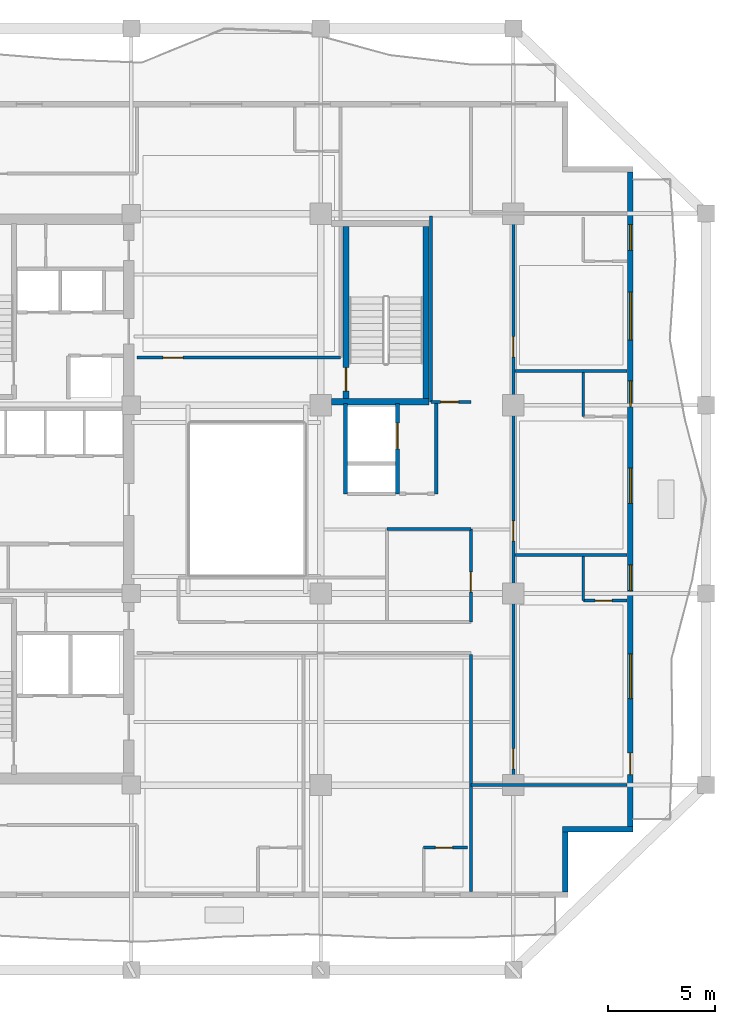
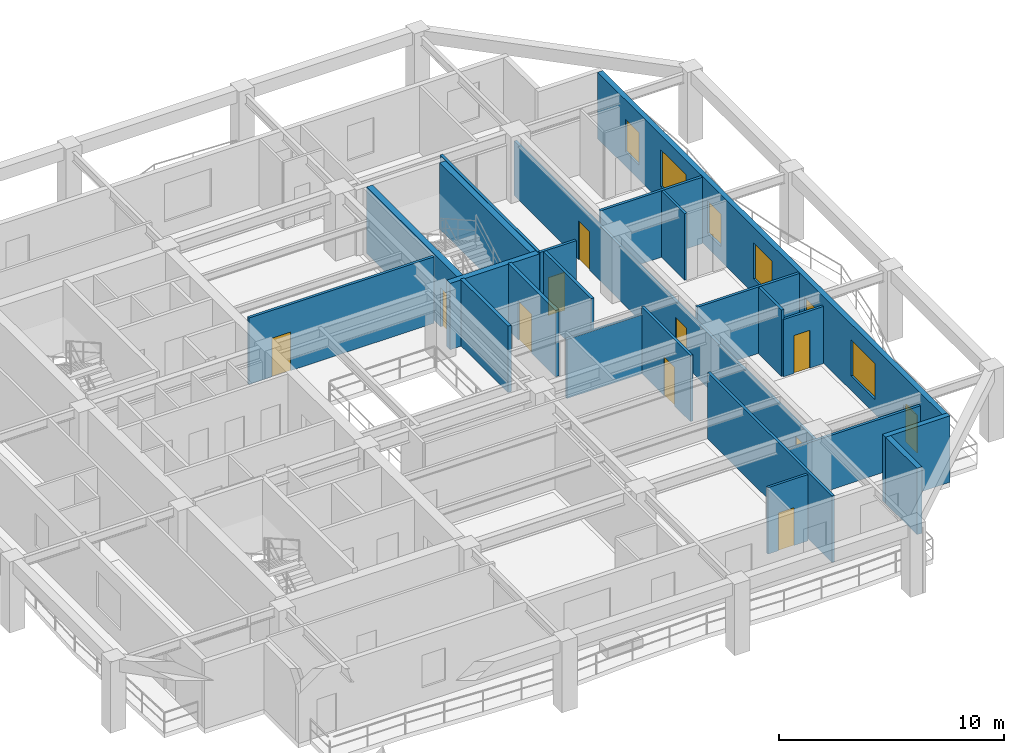
# One storey, part 5 of 11: 23 walls, 11 doors, 6 windows, 17 openings.
"""IFC4 building model written with IfcOpenShell, lengths in metres."""

from ifc_helpers import new_model, si_unit, direction, frame, frame_2d, origin, place, context, subcontext, project, spatial, rectangle, extrude, material, layer, layer_set, type_object, element, fill, save


model = new_model("IFC4")

# Units and contexts
model_context = context("Model", 3, precision=1e-05, world=origin(), true_north=direction((0.0, 1.0)))
body_context = subcontext(model_context, "Body", "Model", "MODEL_VIEW")
ifc_project = project(units=[si_unit("LENGTHUNIT", "METRE"), si_unit("AREAUNIT", "SQUARE_METRE"), si_unit("VOLUMEUNIT", "CUBIC_METRE"), si_unit("PLANEANGLEUNIT", "RADIAN"), si_unit("MASSUNIT", "GRAM", prefix="KILO")], contexts=[model_context])

# Site, building, storey
site_placement = place(None, origin())
site = spatial("IfcSite", under=ifc_project, at=site_placement, CompositionType="ELEMENT")
building_placement = place(site_placement, origin())
building = spatial("IfcBuilding", under=site, at=building_placement, Name="Kundavana Baori Tower", CompositionType="ELEMENT")
storey_placement = place(building_placement, frame((0.0, 0.0, 123.25)))
storey = spatial("IfcBuildingStorey", under=building, at=storey_placement, Name="L29", CompositionType="ELEMENT", Elevation=123.25)

# Walls
ifc_material_1 = material(Name="Kiln-Fired Terracotta Brick-Slip Masonry on Concrete C40/50", Category="masonry")
ifc_layer_1 = layer(ifc_material_1, 0.260009765625, Name="WL-EXT-BRK-260")
ifc_layer_set_1 = layer_set([ifc_layer_1], Name="Kiln-Fired Terracotta Brick-Slip Masonry on Concrete C40/50")
wall_type_1 = type_object("IfcWallType", Name="WL-EXT-BRK-260", PredefinedType="SOLIDWALL", material=ifc_layer_set_1)
wall_1_placement = place(storey_placement, frame((45.219970703125, 10.260009765625, 0.0), z_axis=(0.0, 0.0, 1.0), x_axis=(0.0, 1.0, 0.0)))
element("IfcWall", 1, at=wall_1_placement, inside=storey, type_object=wall_type_1, Name="L29 Exterior Insulated Facade Wall 02", PredefinedType="SOLIDWALL", context=body_context, shape_type="SweptSolid", body=[
    extrude(rectangle(XDim=2.7900390625, YDim=0.260009765625, at=frame_2d((1.39501953125, 0.0))), origin(), (0.0, 0.0, 1.0), 3.60009765625),
])
wall_2_placement = place(storey_placement, frame((45.090087890625, 13.179931640625, 0.0), z_axis=(0.0, 0.0, 1.0), x_axis=(1.0, 0.0, 0.0)))
element("IfcWall", 2, at=wall_2_placement, inside=storey, type_object=wall_type_1, Name="L29 Exterior Insulated Facade Wall 03", PredefinedType="SOLIDWALL", context=body_context, shape_type="SweptSolid", body=[
    extrude(rectangle(XDim=3.309814453125, YDim=0.260009765625, at=frame_2d((1.65478515625, 0.0))), origin(), (0.0, 0.0, 1.0), 3.60009765625),
])

# Wall, openings, door, windows
wall_3_placement = place(storey_placement, frame((48.27001953125, 13.31005859375, 0.0), z_axis=(0.0, 0.0, 1.0), x_axis=(0.0, 1.0, 0.0)))
wall_3 = element("IfcWall", 3, at=wall_3_placement, inside=storey, type_object=wall_type_1, Name="L29 Exterior Insulated Facade Wall 04", PredefinedType="SOLIDWALL", context=body_context, shape_type="SweptSolid", body=[
    extrude(rectangle(XDim=30.579833984375, YDim=0.260009765625, at=frame_2d((15.2900390625, 0.0))), origin(), (0.0, 0.0, 1.0), 3.60009765625),
])
opening_1_placement = place(wall_3_placement, frame((2.429931640625, 0.0, 0.0)))
opening_1 = element("IfcOpeningElement", 4, at=opening_1_placement, cuts=wall_3, Name="Opening BD-1", PredefinedType="OPENING", context=body_context, shape_type="SweptSolid", body=[
    extrude(rectangle(XDim=1.0, YDim=2.050048828125, at=frame_2d((0.5, 1.02490234375))), frame((0.0, 0.14013671875, 0.0), z_axis=(0.0, -1.0, 0.0), x_axis=(1.0, 0.0, 0.0)), (0.0, 0.0, 1.0), 0.280029296875),
])
opening_2_placement = place(wall_3_placement, frame((5.97509765625, 0.0, 0.800048828125)))
opening_2 = element("IfcOpeningElement", 5, at=opening_2_placement, cuts=wall_3, Name="Opening W-05", PredefinedType="OPENING", context=body_context, shape_type="SweptSolid", body=[
    extrude(rectangle(XDim=2.10009765625, YDim=1.949951171875, at=frame_2d((1.050048828125, 0.97509765625))), frame((0.0, 0.14013671875, 0.0), z_axis=(0.0, -1.0, 0.0), x_axis=(1.0, 0.0, 0.0)), (0.0, 0.0, 1.0), 0.280029296875),
])
opening_3_placement = place(wall_3_placement, frame((11.02490234375, 0.0, 0.800048828125)))
opening_3 = element("IfcOpeningElement", 6, at=opening_3_placement, cuts=wall_3, Name="Opening W-03", PredefinedType="OPENING", context=body_context, shape_type="SweptSolid", body=[
    extrude(rectangle(XDim=1.199951171875, YDim=1.75, at=frame_2d((0.60009765625, 0.875))), frame((0.0, 0.14013671875, 0.0), z_axis=(0.0, -1.0, 0.0), x_axis=(1.0, 0.0, 0.0)), (0.0, 0.0, 1.0), 0.280029296875),
])
opening_4_placement = place(wall_3_placement, frame((15.10009765625, 0.0, 0.800048828125)))
opening_4 = element("IfcOpeningElement", 7, at=opening_4_placement, cuts=wall_3, Name="Opening W-08", PredefinedType="OPENING", context=body_context, shape_type="SweptSolid", body=[
    extrude(rectangle(XDim=1.64990234375, YDim=1.949951171875, at=frame_2d((0.824951171875, 0.97509765625))), frame((0.0, 0.14013671875, 0.0), z_axis=(0.0, -1.0, 0.0), x_axis=(1.0, 0.0, 0.0)), (0.0, 0.0, 1.0), 0.280029296875),
])
opening_5_placement = place(wall_3_placement, frame((19.625, 0.0, 0.800048828125)))
opening_5 = element("IfcOpeningElement", 8, at=opening_5_placement, cuts=wall_3, Name="Opening W-03", PredefinedType="OPENING", context=body_context, shape_type="SweptSolid", body=[
    extrude(rectangle(XDim=1.199951171875, YDim=1.75, at=frame_2d((0.60009765625, 0.875))), frame((0.0, 0.14013671875, 0.0), z_axis=(0.0, -1.0, 0.0), x_axis=(1.0, 0.0, 0.0)), (0.0, 0.0, 1.0), 0.280029296875),
])
opening_6_placement = place(wall_3_placement, frame((22.72509765625, 0.0, 0.800048828125)))
opening_6 = element("IfcOpeningElement", 9, at=opening_6_placement, cuts=wall_3, Name="Opening W-10", PredefinedType="OPENING", context=body_context, shape_type="SweptSolid", body=[
    extrude(rectangle(XDim=2.25, YDim=2.0, at=frame_2d((1.125, 1.0))), frame((0.0, 0.14013671875, 0.0), z_axis=(0.0, -1.0, 0.0), x_axis=(1.0, 0.0, 0.0)), (0.0, 0.0, 1.0), 0.280029296875),
])
opening_7_placement = place(wall_3_placement, frame((26.925048828125, 0.0, 0.800048828125)))
opening_7 = element("IfcOpeningElement", 10, at=opening_7_placement, cuts=wall_3, Name="Opening W-03", PredefinedType="OPENING", context=body_context, shape_type="SweptSolid", body=[
    extrude(rectangle(XDim=1.199951171875, YDim=1.75, at=frame_2d((0.60009765625, 0.875))), frame((0.0, 0.14013671875, 0.0), z_axis=(0.0, -1.0, 0.0), x_axis=(1.0, 0.0, 0.0)), (0.0, 0.0, 1.0), 0.280029296875),
])
ifc_material_2 = material(Name="Architectural Patinated Bronze Metalwork")
door_type_1 = type_object("IfcDoorType", Name="DR-EXT-LOG-1000", OperationType="NOTDEFINED", PredefinedType="DOOR", material=ifc_material_2)
door_1_placement = place(opening_1_placement, frame((1.0, 0.0, 0.0), z_axis=(0.0, 0.0, 1.0), x_axis=(-1.0, 0.0, 0.0)))
door_1 = element("IfcDoor", 11, at=door_1_placement, inside=storey, type_object=door_type_1, Name="L29 Loggia Balcony Access Door E", OperationType="SINGLE_SWING_RIGHT", OverallHeight=2.050048828125, OverallWidth=1.0, PredefinedType="DOOR", context=body_context, shape_type="SweptSolid", body=[
    extrude(rectangle(XDim=1.0, YDim=2.050048828125, at=frame_2d((0.5, 1.02490234375))), frame((0.0, 0.02490234375, 0.0), z_axis=(0.0, -1.0, 0.0), x_axis=(1.0, 0.0, 0.0)), (0.0, 0.0, 1.0), 0.050048828125),
])
fill(opening_1, door_1)
ifc_material_3 = material(Name="Double-Glazed Solar-Control Low-E Insulated Glass", Category="glass")
window_type_1 = type_object("IfcWindowType", Name="WIN-LOG-1200x1750", PartitioningType="SINGLE_PANEL", PredefinedType="WINDOW", material=ifc_material_3)
window_1_placement = place(opening_3_placement, origin())
window_1 = element("IfcWindow", 12, at=window_1_placement, inside=storey, type_object=window_type_1, Name="L29 Recessed Loggia Window E-2", OverallHeight=1.75, OverallWidth=1.199951171875, PartitioningType="SINGLE_PANEL", PredefinedType="WINDOW", context=body_context, shape_type="SweptSolid", body=[
    extrude(rectangle(XDim=1.199951171875, YDim=1.75, at=frame_2d((0.60009765625, 0.875))), frame((0.0, 0.030029296875, 0.0), z_axis=(0.0, -1.0, 0.0), x_axis=(1.0, 0.0, 0.0)), (0.0, 0.0, 1.0), 0.06005859375),
])
fill(opening_3, window_1)
window_2_placement = place(opening_5_placement, origin())
window_2 = element("IfcWindow", 13, at=window_2_placement, inside=storey, type_object=window_type_1, Name="L29 Recessed Loggia Window E-4", OverallHeight=1.75, OverallWidth=1.199951171875, PartitioningType="SINGLE_PANEL", PredefinedType="WINDOW", context=body_context, shape_type="SweptSolid", body=[
    extrude(rectangle(XDim=1.199951171875, YDim=1.75, at=frame_2d((0.60009765625, 0.875))), frame((0.0, 0.030029296875, 0.0), z_axis=(0.0, -1.0, 0.0), x_axis=(1.0, 0.0, 0.0)), (0.0, 0.0, 1.0), 0.06005859375),
])
fill(opening_5, window_2)
window_3_placement = place(opening_7_placement, origin())
window_3 = element("IfcWindow", 14, at=window_3_placement, inside=storey, type_object=window_type_1, Name="L29 Recessed Loggia Window E-6", OverallHeight=1.75, OverallWidth=1.199951171875, PartitioningType="SINGLE_PANEL", PredefinedType="WINDOW", context=body_context, shape_type="SweptSolid", body=[
    extrude(rectangle(XDim=1.199951171875, YDim=1.75, at=frame_2d((0.60009765625, 0.875))), frame((0.0, 0.030029296875, 0.0), z_axis=(0.0, -1.0, 0.0), x_axis=(1.0, 0.0, 0.0)), (0.0, 0.0, 1.0), 0.06005859375),
])
fill(opening_7, window_3)
ifc_material_4 = material(Name="Double-Glazed Solar-Control Low-E Insulated Glass", Category="glass")
window_type_2 = type_object("IfcWindowType", Name="WIN-LOG-1650x1950", PartitioningType="SINGLE_PANEL", PredefinedType="WINDOW", material=ifc_material_4)
window_4_placement = place(opening_4_placement, origin())
window_4 = element("IfcWindow", 15, at=window_4_placement, inside=storey, type_object=window_type_2, Name="L29 Recessed Loggia Window E-3", OverallHeight=1.949951171875, OverallWidth=1.64990234375, PartitioningType="SINGLE_PANEL", PredefinedType="WINDOW", context=body_context, shape_type="SweptSolid", body=[
    extrude(rectangle(XDim=1.64990234375, YDim=1.949951171875, at=frame_2d((0.824951171875, 0.97509765625))), frame((0.0, 0.030029296875, 0.0), z_axis=(0.0, -1.0, 0.0), x_axis=(1.0, 0.0, 0.0)), (0.0, 0.0, 1.0), 0.06005859375),
])
fill(opening_4, window_4)
ifc_material_5 = material(Name="Double-Glazed Solar-Control Low-E Insulated Glass", Category="glass")
window_type_3 = type_object("IfcWindowType", Name="WIN-LOG-2100x1950", PartitioningType="SINGLE_PANEL", PredefinedType="WINDOW", material=ifc_material_5)
window_5_placement = place(opening_2_placement, origin())
window_5 = element("IfcWindow", 16, at=window_5_placement, inside=storey, type_object=window_type_3, Name="L29 Recessed Loggia Window E-1", OverallHeight=1.949951171875, OverallWidth=2.10009765625, PartitioningType="SINGLE_PANEL", PredefinedType="WINDOW", context=body_context, shape_type="SweptSolid", body=[
    extrude(rectangle(XDim=2.10009765625, YDim=1.949951171875, at=frame_2d((1.050048828125, 0.97509765625))), frame((0.0, 0.030029296875, 0.0), z_axis=(0.0, -1.0, 0.0), x_axis=(1.0, 0.0, 0.0)), (0.0, 0.0, 1.0), 0.06005859375),
])
fill(opening_2, window_5)
ifc_material_6 = material(Name="Double-Glazed Solar-Control Low-E Insulated Glass", Category="glass")
window_type_4 = type_object("IfcWindowType", Name="WIN-LOG-2250x2000", PartitioningType="SINGLE_PANEL", PredefinedType="WINDOW", material=ifc_material_6)
window_6_placement = place(opening_6_placement, origin())
window_6 = element("IfcWindow", 17, at=window_6_placement, inside=storey, type_object=window_type_4, Name="L29 Recessed Loggia Window E-5", OverallHeight=2.0, OverallWidth=2.25, PartitioningType="SINGLE_PANEL", PredefinedType="WINDOW", context=body_context, shape_type="SweptSolid", body=[
    extrude(rectangle(XDim=2.25, YDim=2.0, at=frame_2d((1.125, 1.0))), frame((0.0, 0.030029296875, 0.0), z_axis=(0.0, -1.0, 0.0), x_axis=(1.0, 0.0, 0.0)), (0.0, 0.0, 1.0), 0.06005859375),
])
fill(opening_6, window_6)

# Wall, opening, door
ifc_material_7 = material(Name="Acoustic Gypsum Plasterboard on Galvanised Steel Studs", Category="steel")
ifc_layer_2 = layer(ifc_material_7, 0.135009765625, Name="WL-PART-135")
ifc_layer_set_2 = layer_set([ifc_layer_2], Name="Acoustic Gypsum Plasterboard on Galvanised Steel Studs")
wall_type_2 = type_object("IfcWallType", Name="WL-PART-135", PredefinedType="PARTITIONING", material=ifc_layer_set_2)
wall_4_placement = place(storey_placement, frame((25.219970703125, 35.219970703125, 0.0), z_axis=(0.0, 0.0, 1.0), x_axis=(1.0, 0.0, 0.0)))
wall_4 = element("IfcWall", 18, at=wall_4_placement, inside=storey, type_object=wall_type_2, Name="WL-L29-HN", PredefinedType="PARTITIONING", context=body_context, shape_type="SweptSolid", body=[
    extrude(rectangle(XDim=9.5, YDim=0.135009765625, at=frame_2d((4.75, 0.0))), origin(), (0.0, 0.0, 1.0), 3.60009765625),
])
opening_8_placement = place(wall_4_placement, frame((1.199951171875, 0.0, 0.0)))
opening_8 = element("IfcOpeningElement", 19, at=opening_8_placement, cuts=wall_4, Name="Opening FD-095", PredefinedType="OPENING", context=body_context, shape_type="SweptSolid", body=[
    extrude(rectangle(XDim=0.949951171875, YDim=2.10009765625, at=frame_2d((0.47509765625, 1.050048828125))), frame((0.0, 0.07763671875, 0.0), z_axis=(0.0, -1.0, 0.0), x_axis=(1.0, 0.0, 0.0)), (0.0, 0.0, 1.0), 0.155029296875),
])
ifc_material_8 = material(Name="Engineered Teak Fire-Rated Timber Door Leaf", Category="wood")
door_type_2 = type_object("IfcDoorType", Name="DR-FD60-950", OperationType="NOTDEFINED", PredefinedType="DOOR", material=ifc_material_8)
door_2_placement = place(opening_8_placement, origin())
door_2 = element("IfcDoor", 20, at=door_2_placement, inside=storey, type_object=door_type_2, Name="DR-L29-HK-N1-ENT", OperationType="SINGLE_SWING_RIGHT", OverallHeight=2.10009765625, OverallWidth=0.949951171875, PredefinedType="DOOR", context=body_context, shape_type="SweptSolid", body=[
    extrude(rectangle(XDim=0.949951171875, YDim=2.10009765625, at=frame_2d((0.47509765625, 1.050048828125))), frame((0.0, 0.02490234375, 0.0), z_axis=(0.0, -1.0, 0.0), x_axis=(1.0, 0.0, 0.0)), (0.0, 0.0, 1.0), 0.050048828125),
])
fill(opening_8, door_2)

# Wall, openings, doors
wall_5_placement = place(storey_placement, frame((42.800048828125, 15.25, 0.0), z_axis=(0.0, 0.0, 1.0), x_axis=(0.0, 1.0, 0.0)))
wall_5 = element("IfcWall", 21, at=wall_5_placement, inside=storey, type_object=wall_type_2, Name="WL-L29-HE", PredefinedType="PARTITIONING", context=body_context, shape_type="SweptSolid", body=[
    extrude(rectangle(XDim=26.699951171875, YDim=0.135009765625, at=frame_2d((13.35009765625, 0.0))), origin(), (0.0, 0.0, 1.0), 2.949951171875),
])
opening_9_placement = place(wall_5_placement, frame((0.75, 0.0, 0.0)))
opening_9 = element("IfcOpeningElement", 22, at=opening_9_placement, cuts=wall_5, Name="Opening FD-095", PredefinedType="OPENING", context=body_context, shape_type="SweptSolid", body=[
    extrude(rectangle(XDim=0.949951171875, YDim=2.10009765625, at=frame_2d((0.47509765625, 1.050048828125))), frame((0.0, 0.07763671875, 0.0), z_axis=(0.0, -1.0, 0.0), x_axis=(1.0, 0.0, 0.0)), (0.0, 0.0, 1.0), 0.155029296875),
])
opening_10_placement = place(wall_5_placement, frame((11.39990234375, 0.0, 0.0)))
opening_10 = element("IfcOpeningElement", 23, at=opening_10_placement, cuts=wall_5, Name="Opening FD-095", PredefinedType="OPENING", context=body_context, shape_type="SweptSolid", body=[
    extrude(rectangle(XDim=0.949951171875, YDim=2.10009765625, at=frame_2d((0.47509765625, 1.050048828125))), frame((0.0, 0.07763671875, 0.0), z_axis=(0.0, -1.0, 0.0), x_axis=(1.0, 0.0, 0.0)), (0.0, 0.0, 1.0), 0.155029296875),
])
opening_11_placement = place(wall_5_placement, frame((20.0, 0.0, 0.0)))
opening_11 = element("IfcOpeningElement", 24, at=opening_11_placement, cuts=wall_5, Name="Opening FD-095", PredefinedType="OPENING", context=body_context, shape_type="SweptSolid", body=[
    extrude(rectangle(XDim=0.949951171875, YDim=2.10009765625, at=frame_2d((0.47509765625, 1.050048828125))), frame((0.0, 0.07763671875, 0.0), z_axis=(0.0, -1.0, 0.0), x_axis=(1.0, 0.0, 0.0)), (0.0, 0.0, 1.0), 0.155029296875),
])
door_3_placement = place(opening_9_placement, origin())
door_3 = element("IfcDoor", 25, at=door_3_placement, inside=storey, type_object=door_type_2, Name="DR-L29-HK-E1-ENT", OperationType="SINGLE_SWING_LEFT", OverallHeight=2.10009765625, OverallWidth=0.949951171875, PredefinedType="DOOR", context=body_context, shape_type="SweptSolid", body=[
    extrude(rectangle(XDim=0.949951171875, YDim=2.10009765625, at=frame_2d((0.47509765625, 1.050048828125))), frame((0.0, 0.02490234375, 0.0), z_axis=(0.0, -1.0, 0.0), x_axis=(1.0, 0.0, 0.0)), (0.0, 0.0, 1.0), 0.050048828125),
])
fill(opening_9, door_3)
door_4_placement = place(opening_10_placement, origin())
door_4 = element("IfcDoor", 26, at=door_4_placement, inside=storey, type_object=door_type_2, Name="DR-L29-HK-E2-ENT", OperationType="SINGLE_SWING_LEFT", OverallHeight=2.10009765625, OverallWidth=0.949951171875, PredefinedType="DOOR", context=body_context, shape_type="SweptSolid", body=[
    extrude(rectangle(XDim=0.949951171875, YDim=2.10009765625, at=frame_2d((0.47509765625, 1.050048828125))), frame((0.0, 0.02490234375, 0.0), z_axis=(0.0, -1.0, 0.0), x_axis=(1.0, 0.0, 0.0)), (0.0, 0.0, 1.0), 0.050048828125),
])
fill(opening_10, door_4)
door_5_placement = place(opening_11_placement, origin())
door_5 = element("IfcDoor", 27, at=door_5_placement, inside=storey, type_object=door_type_2, Name="DR-L29-HK-E3-ENT", OperationType="SINGLE_SWING_LEFT", OverallHeight=2.10009765625, OverallWidth=0.949951171875, PredefinedType="DOOR", context=body_context, shape_type="SweptSolid", body=[
    extrude(rectangle(XDim=0.949951171875, YDim=2.10009765625, at=frame_2d((0.47509765625, 1.050048828125))), frame((0.0, 0.02490234375, 0.0), z_axis=(0.0, -1.0, 0.0), x_axis=(1.0, 0.0, 0.0)), (0.0, 0.0, 1.0), 0.050048828125),
])
fill(opening_11, door_5)

# Wall
wall_6_placement = place(storey_placement, frame((40.820068359375, 15.25, 0.0), z_axis=(0.0, 0.0, 1.0), x_axis=(1.0, 0.0, 0.0)))
element("IfcWall", 28, at=wall_6_placement, inside=storey, type_object=wall_type_2, Name="WL-L29-HES", PredefinedType="PARTITIONING", context=body_context, shape_type="SweptSolid", body=[
    extrude(rectangle(XDim=7.300048828125, YDim=0.135009765625, at=frame_2d((3.64990234375, 0.0))), origin(), (0.0, 0.0, 1.0), 2.949951171875),
])

# Wall, opening, door
wall_7_placement = place(storey_placement, frame((40.820068359375, 22.860107421875, 0.0), z_axis=(0.0, 0.0, 1.0), x_axis=(0.0, 1.0, 0.0)))
wall_7 = element("IfcWall", 29, at=wall_7_placement, inside=storey, type_object=wall_type_2, Name="WL-L29-HEW", PredefinedType="PARTITIONING", context=body_context, shape_type="SweptSolid", body=[
    extrude(rectangle(XDim=4.35986328125, YDim=0.135009765625, at=frame_2d((2.179931640625, 0.0))), origin(), (0.0, 0.0, 1.0), 3.60009765625),
])
opening_12_placement = place(wall_7_placement, frame((1.39990234375, 0.0, 0.0)))
opening_12 = element("IfcOpeningElement", 30, at=opening_12_placement, cuts=wall_7, Name="Opening FD-095", PredefinedType="OPENING", context=body_context, shape_type="SweptSolid", body=[
    extrude(rectangle(XDim=0.949951171875, YDim=2.10009765625, at=frame_2d((0.47509765625, 1.050048828125))), frame((0.0, 0.07763671875, 0.0), z_axis=(0.0, -1.0, 0.0), x_axis=(1.0, 0.0, 0.0)), (0.0, 0.0, 1.0), 0.155029296875),
])
door_6_placement = place(opening_12_placement, frame((0.949951171875, 0.0, 0.0), z_axis=(0.0, 0.0, 1.0), x_axis=(-1.0, 0.0, 0.0)))
door_6 = element("IfcDoor", 31, at=door_6_placement, inside=storey, type_object=door_type_2, Name="DR-L29-HSK", OperationType="SINGLE_SWING_RIGHT", OverallHeight=2.10009765625, OverallWidth=0.949951171875, PredefinedType="DOOR", context=body_context, shape_type="SweptSolid", body=[
    extrude(rectangle(XDim=0.949951171875, YDim=2.10009765625, at=frame_2d((0.47509765625, 1.050048828125))), frame((0.0, 0.02490234375, 0.0), z_axis=(0.0, -1.0, 0.0), x_axis=(1.0, 0.0, 0.0)), (0.0, 0.0, 1.0), 0.050048828125),
])
fill(opening_12, door_6)

# Walls
wall_8_placement = place(storey_placement, frame((36.89990234375, 27.219970703125, 0.0), z_axis=(0.0, 0.0, 1.0), x_axis=(1.0, 0.0, 0.0)))
element("IfcWall", 32, at=wall_8_placement, inside=storey, type_object=wall_type_2, Name="WL-L29-HKN", PredefinedType="PARTITIONING", context=body_context, shape_type="SweptSolid", body=[
    extrude(rectangle(XDim=3.920166015625, YDim=0.135009765625, at=frame_2d((1.9599609375, 0.0))), origin(), (0.0, 0.0, 1.0), 3.199951171875),
])
wall_9_placement = place(storey_placement, frame((40.820068359375, 10.280029296875, 0.0), z_axis=(0.0, 0.0, 1.0), x_axis=(0.0, 1.0, 0.0)))
element("IfcWall", 33, at=wall_9_placement, inside=storey, type_object=wall_type_2, Name="WL-L29-HSEND", PredefinedType="PARTITIONING", context=body_context, shape_type="SweptSolid", body=[
    extrude(rectangle(XDim=11.06005859375, YDim=0.135009765625, at=frame_2d((5.530029296875, 0.0))), origin(), (0.0, 0.0, 1.0), 3.60009765625),
])
for number, where, z_axis, x_axis, name in (
    (34, (42.8798828125, 26.0, 0.0), (0.0, 0.0, 1.0), (1.0, 0.0, 0.0), "WL-L29-HED1"),
    (35, (42.8798828125, 34.60009765625, 0.0), (0.0, 0.0, 1.0), (1.0, 0.0, 0.0), "WL-L29-HED2"),
):
    element("IfcWall", number, at=place(storey_placement, frame(where, z_axis=z_axis, x_axis=x_axis)), inside=storey, type_object=wall_type_2, Name=name, PredefinedType="PARTITIONING", context=body_context, shape_type="SweptSolid", body=[
        extrude(rectangle(XDim=5.240234375, YDim=0.135009765625, at=frame_2d((2.6201171875, 0.0))), origin(), (0.0, 0.0, 1.0), 3.60009765625),
    ])

# Wall, opening, door
wall_10_placement = place(storey_placement, frame((38.949951171875, 33.14990234375, 0.0), z_axis=(0.0, 0.0, 1.0), x_axis=(1.0, 0.0, 0.0)))
wall_10 = element("IfcWall", 36, at=wall_10_placement, inside=storey, type_object=wall_type_2, Name="WL-L29-HNES", PredefinedType="PARTITIONING", context=body_context, shape_type="SweptSolid", body=[
    extrude(rectangle(XDim=1.8701171875, YDim=0.135009765625, at=frame_2d((0.93505859375, 0.0))), origin(), (0.0, 0.0, 1.0), 3.60009765625),
])
opening_13_placement = place(wall_10_placement, frame((0.449951171875, 0.0, 0.0)))
opening_13 = element("IfcOpeningElement", 37, at=opening_13_placement, cuts=wall_10, Name="Opening WD-085", PredefinedType="OPENING", context=body_context, shape_type="SweptSolid", body=[
    extrude(rectangle(XDim=0.85009765625, YDim=2.050048828125, at=frame_2d((0.425048828125, 1.02490234375))), frame((0.0, 0.07763671875, 0.0), z_axis=(0.0, -1.0, 0.0), x_axis=(1.0, 0.0, 0.0)), (0.0, 0.0, 1.0), 0.155029296875),
])
ifc_material_9 = material(Name="Engineered Teak Solid-Core Timber Veneer", Category="wood")
door_type_3 = type_object("IfcDoorType", Name="DR-WET-850", OperationType="NOTDEFINED", PredefinedType="DOOR", material=ifc_material_9)
door_7_placement = place(opening_13_placement, origin())
door_7 = element("IfcDoor", 38, at=door_7_placement, inside=storey, type_object=door_type_3, Name="DR-L29-HLNE", OperationType="SINGLE_SWING_LEFT", OverallHeight=2.050048828125, OverallWidth=0.85009765625, PredefinedType="DOOR", context=body_context, shape_type="SweptSolid", body=[
    extrude(rectangle(XDim=0.85009765625, YDim=2.050048828125, at=frame_2d((0.425048828125, 1.02490234375))), frame((0.0, 0.02490234375, 0.0), z_axis=(0.0, -1.0, 0.0), x_axis=(1.0, 0.0, 0.0)), (0.0, 0.0, 1.0), 0.050048828125),
])
fill(opening_13, door_7)

# Walls
wall_11_placement = place(storey_placement, frame((38.949951171875, 33.14990234375, 0.0), z_axis=(0.0, 0.0, 1.0), x_axis=(0.0, 1.0, 0.0)))
element("IfcWall", 39, at=wall_11_placement, inside=storey, type_object=wall_type_2, Name="WL-L29-HNEW", PredefinedType="PARTITIONING", context=body_context, shape_type="SweptSolid", body=[
    extrude(rectangle(XDim=8.7001953125, YDim=0.135009765625, at=frame_2d((4.35009765625, 0.0))), origin(), (0.0, 0.0, 1.0), 3.60009765625),
])
ifc_material_10 = material(Name="Fire-Rated Gypsum Drywall on Galvanised Steel Studs", Category="steel")
ifc_layer_3 = layer(ifc_material_10, 0.14990234375, Name="WL-PART-150")
ifc_layer_set_3 = layer_set([ifc_layer_3], Name="Fire-Rated Gypsum Drywall on Galvanised Steel Studs")
wall_type_3 = type_object("IfcWallType", Name="WL-PART-150", PredefinedType="PARTITIONING", material=ifc_layer_set_3)
wall_12_placement = place(storey_placement, frame((39.199951171875, 28.860107421875, 0.0), z_axis=(0.0, 0.0, 1.0), x_axis=(0.0, 1.0, 0.0)))
element("IfcWall", 40, at=wall_12_placement, inside=storey, type_object=wall_type_3, Name="WL-L29-SVLOB-E", PredefinedType="PARTITIONING", context=body_context, shape_type="SweptSolid", body=[
    extrude(rectangle(XDim=4.219970703125, YDim=0.14990234375, at=frame_2d((2.10986328125, 0.0))), origin(), (0.0, 0.0, 1.0), 3.60009765625),
])
ifc_material_11 = material(Name="Autoclaved Aerated Concrete Blockwork Masonry", Category="masonry")
ifc_layer_4 = layer(ifc_material_11, 0.179931640625, Name="WL-SHAFT-180")
ifc_layer_set_4 = layer_set([ifc_layer_4], Name="Autoclaved Aerated Concrete Blockwork Masonry")
wall_type_4 = type_object("IfcWallType", Name="WL-SHAFT-180", PredefinedType="SOLIDWALL", material=ifc_layer_set_4)
wall_13_placement = place(storey_placement, frame((34.9599609375, 28.860107421875, 0.0), z_axis=(0.0, 0.0, 1.0), x_axis=(0.0, 1.0, 0.0)))
element("IfcWall", 41, at=wall_13_placement, inside=storey, type_object=wall_type_4, Name="WL-L29-SVL-W", PredefinedType="SOLIDWALL", context=body_context, shape_type="SweptSolid", body=[
    extrude(rectangle(XDim=4.219970703125, YDim=0.179931640625, at=frame_2d((2.10986328125, 0.0))), origin(), (0.0, 0.0, 1.0), 3.60009765625),
])

# Wall, opening, door
wall_14_placement = place(storey_placement, frame((37.389892578125, 28.860107421875, 0.0), z_axis=(0.0, 0.0, 1.0), x_axis=(0.0, 1.0, 0.0)))
wall_14 = element("IfcWall", 42, at=wall_14_placement, inside=storey, type_object=wall_type_4, Name="WL-L29-SVL-E", PredefinedType="SOLIDWALL", context=body_context, shape_type="SweptSolid", body=[
    extrude(rectangle(XDim=4.219970703125, YDim=0.179931640625, at=frame_2d((2.10986328125, 0.0))), origin(), (0.0, 0.0, 1.0), 3.60009765625),
])
opening_14_placement = place(wall_14_placement, frame((2.10009765625, 0.0, 0.0)))
opening_14 = element("IfcOpeningElement", 43, at=opening_14_placement, cuts=wall_14, Name="Opening LD-120", PredefinedType="OPENING", context=body_context, shape_type="SweptSolid", body=[
    extrude(rectangle(XDim=1.199951171875, YDim=2.1201171875, at=frame_2d((0.60009765625, 1.06005859375))), frame((0.0, 0.10009765625, 0.0), z_axis=(0.0, -1.0, 0.0), x_axis=(1.0, 0.0, 0.0)), (0.0, 0.0, 1.0), 0.199951171875),
])
ifc_material_12 = material(Name="Galvanised Steel Fire-Rated Door Leaf", Category="steel")
door_type_4 = type_object("IfcDoorType", Name="DR-SLIDE-LD1200", OperationType="NOTDEFINED", PredefinedType="DOOR", material=ifc_material_12)
door_8_placement = place(opening_14_placement, frame((1.199951171875, 0.0, 0.0), z_axis=(0.0, 0.0, 1.0), x_axis=(-1.0, 0.0, 0.0)))
door_8 = element("IfcDoor", 44, at=door_8_placement, inside=storey, type_object=door_type_4, Name="DR-L29-LD-SVL1", OperationType="DOUBLE_DOOR_SLIDING", OverallHeight=2.1201171875, OverallWidth=1.199951171875, PredefinedType="DOOR", context=body_context, shape_type="SweptSolid", body=[
    extrude(rectangle(XDim=1.199951171875, YDim=2.1201171875, at=frame_2d((0.60009765625, 1.06005859375))), frame((0.0, 0.02490234375, 0.0), z_axis=(0.0, -1.0, 0.0), x_axis=(1.0, 0.0, 0.0)), (0.0, 0.0, 1.0), 0.050048828125),
])
fill(opening_14, door_8)

# Wall
ifc_material_13 = material(Name="Concrete C50/60", Category="concrete")
ifc_layer_5 = layer(ifc_material_13, 0.300048828125, Name="WL-ST3-300")
ifc_layer_set_5 = layer_set([ifc_layer_5], Name="Concrete C50/60")
wall_type_5 = type_object("IfcWallType", Name="WL-ST3-300", PredefinedType="SHEAR", material=ifc_layer_set_5)
wall_15_placement = place(storey_placement, frame((34.300048828125, 33.159912109375, 0.0), z_axis=(0.0, 0.0, 1.0), x_axis=(1.0, 0.0, 0.0)))
element("IfcWall", 45, at=wall_15_placement, inside=storey, type_object=wall_type_5, Name="L29 Stair ST3 South Shear Wall", PredefinedType="SHEAR", context=body_context, shape_type="SweptSolid", body=[
    extrude(rectangle(XDim=4.570068359375, YDim=0.300048828125, at=frame_2d((2.28515625, 0.0))), origin(), (0.0, 0.0, 1.0), 3.60009765625),
])

# Wall, opening, door
wall_16_placement = place(storey_placement, frame((34.97998046875, 33.31005859375, 0.0), z_axis=(0.0, 0.0, 1.0), x_axis=(0.0, 1.0, 0.0)))
wall_16 = element("IfcWall", 46, at=wall_16_placement, inside=storey, type_object=wall_type_5, Name="L29 Stair ST3 West Shear Wall", PredefinedType="SHEAR", context=body_context, shape_type="SweptSolid", body=[
    extrude(rectangle(XDim=8.030029296875, YDim=0.300048828125, at=frame_2d((4.01513671875, 0.0))), origin(), (0.0, 0.0, 1.0), 3.60009765625),
])
opening_15_placement = place(wall_16_placement, frame((0.35009765625, 0.0, 0.0)))
opening_15 = element("IfcOpeningElement", 47, at=opening_15_placement, cuts=wall_16, Name="Opening FD-110", PredefinedType="OPENING", context=body_context, shape_type="SweptSolid", body=[
    extrude(rectangle(XDim=1.10009765625, YDim=2.10009765625, at=frame_2d((0.550048828125, 1.050048828125))), frame((0.0, 0.16015625, 0.0), z_axis=(0.0, -1.0, 0.0), x_axis=(1.0, 0.0, 0.0)), (0.0, 0.0, 1.0), 0.320068359375),
])
ifc_material_14 = material(Name="Galvanised Steel Fire-Rated Door Leaf", Category="steel")
door_type_5 = type_object("IfcDoorType", Name="DR-FD120-1100", OperationType="NOTDEFINED", PredefinedType="DOOR", material=ifc_material_14)
door_9_placement = place(opening_15_placement, origin())
door_9 = element("IfcDoor", 48, at=door_9_placement, inside=storey, type_object=door_type_5, Name="DR-L29-ST3-W", OperationType="SINGLE_SWING_LEFT", OverallHeight=2.10009765625, OverallWidth=1.10009765625, PredefinedType="DOOR", context=body_context, shape_type="SweptSolid", body=[
    extrude(rectangle(XDim=1.10009765625, YDim=2.10009765625, at=frame_2d((0.550048828125, 1.050048828125))), frame((0.0, 0.02490234375, 0.0), z_axis=(0.0, -1.0, 0.0), x_axis=(1.0, 0.0, 0.0)), (0.0, 0.0, 1.0), 0.050048828125),
])
fill(opening_15, door_9)

# Wall
wall_17_placement = place(storey_placement, frame((38.719970703125, 33.31005859375, 0.0), z_axis=(0.0, 0.0, 1.0), x_axis=(0.0, 1.0, 0.0)))
element("IfcWall", 49, at=wall_17_placement, inside=storey, type_object=wall_type_5, Name="L29 Stair ST3 East Shear Wall", PredefinedType="SHEAR", context=body_context, shape_type="SweptSolid", body=[
    extrude(rectangle(XDim=8.030029296875, YDim=0.300048828125, at=frame_2d((4.01513671875, 0.0))), origin(), (0.0, 0.0, 1.0), 3.60009765625),
])

# Wall, opening, door
ifc_material_15 = material(Name="Autoclaved Aerated Concrete Blockwork Masonry", Category="masonry")
ifc_layer_6 = layer(ifc_material_15, 0.125, Name="WL-WET-120")
ifc_layer_set_6 = layer_set([ifc_layer_6], Name="Autoclaved Aerated Concrete Blockwork Masonry")
wall_type_6 = type_object("IfcWallType", Name="WL-WET-120", PredefinedType="PLUMBINGWALL", material=ifc_layer_set_6)
wall_18_placement = place(storey_placement, frame((38.610107421875, 12.330078125, 0.0), z_axis=(0.0, 0.0, 1.0), x_axis=(1.0, 0.0, 0.0)))
wall_18 = element("IfcWall", 50, at=wall_18_placement, inside=storey, type_object=wall_type_6, Name="WL-L29-HK-S2-BN", PredefinedType="PLUMBINGWALL", context=body_context, shape_type="SweptSolid", body=[
    extrude(rectangle(XDim=2.0498046875, YDim=0.125, at=frame_2d((1.02490234375, 0.0))), origin(), (0.0, 0.0, 1.0), 3.60009765625),
])
opening_16_placement = place(wall_18_placement, frame((0.550048828125, 0.0, 0.0)))
opening_16 = element("IfcOpeningElement", 51, at=opening_16_placement, cuts=wall_18, Name="Opening WD-080", PredefinedType="OPENING", context=body_context, shape_type="SweptSolid", body=[
    extrude(rectangle(XDim=0.800048828125, YDim=2.050048828125, at=frame_2d((0.39990234375, 1.02490234375))), frame((0.0, 0.072509765625, 0.0), z_axis=(0.0, -1.0, 0.0), x_axis=(1.0, 0.0, 0.0)), (0.0, 0.0, 1.0), 0.14501953125),
])
ifc_material_16 = material(Name="Engineered Teak Solid-Core Timber Veneer", Category="wood")
door_type_6 = type_object("IfcDoorType", Name="DR-WET-800", OperationType="NOTDEFINED", PredefinedType="DOOR", material=ifc_material_16)
door_10_placement = place(opening_16_placement, origin())
door_10 = element("IfcDoor", 52, at=door_10_placement, inside=storey, type_object=door_type_6, Name="DR-L29-HK-S2-ENS", OperationType="SINGLE_SWING_LEFT", OverallHeight=2.050048828125, OverallWidth=0.800048828125, PredefinedType="DOOR", context=body_context, shape_type="SweptSolid", body=[
    extrude(rectangle(XDim=0.800048828125, YDim=2.050048828125, at=frame_2d((0.39990234375, 1.02490234375))), frame((0.0, 0.02490234375, 0.0), z_axis=(0.0, -1.0, 0.0), x_axis=(1.0, 0.0, 0.0)), (0.0, 0.0, 1.0), 0.050048828125),
])
fill(opening_16, door_10)

# Wall
wall_19_placement = place(storey_placement, frame((46.070068359375, 23.8701171875, 0.0), z_axis=(0.0, 0.0, 1.0), x_axis=(0.0, 1.0, 0.0)))
element("IfcWall", 53, at=wall_19_placement, inside=storey, type_object=wall_type_6, Name="WL-L29-HK-E1-BW", PredefinedType="PLUMBINGWALL", context=body_context, shape_type="SweptSolid", body=[
    extrude(rectangle(XDim=2.0498046875, YDim=0.125, at=frame_2d((1.02490234375, 0.0))), origin(), (0.0, 0.0, 1.0), 3.60009765625),
])

# Wall, opening, door
wall_20_placement = place(storey_placement, frame((46.070068359375, 23.8701171875, 0.0), z_axis=(0.0, 0.0, 1.0), x_axis=(1.0, 0.0, 0.0)))
wall_20 = element("IfcWall", 54, at=wall_20_placement, inside=storey, type_object=wall_type_6, Name="WL-L29-HK-E1-BS", PredefinedType="PLUMBINGWALL", context=body_context, shape_type="SweptSolid", body=[
    extrude(rectangle(XDim=2.050048828125, YDim=0.125, at=frame_2d((1.02490234375, 0.0))), origin(), (0.0, 0.0, 1.0), 3.10009765625),
])
opening_17_placement = place(wall_20_placement, frame((0.550048828125, 0.0, 0.0)))
opening_17 = element("IfcOpeningElement", 55, at=opening_17_placement, cuts=wall_20, Name="Opening WD-080", PredefinedType="OPENING", context=body_context, shape_type="SweptSolid", body=[
    extrude(rectangle(XDim=0.800048828125, YDim=2.050048828125, at=frame_2d((0.39990234375, 1.02490234375))), frame((0.0, 0.072509765625, 0.0), z_axis=(0.0, -1.0, 0.0), x_axis=(1.0, 0.0, 0.0)), (0.0, 0.0, 1.0), 0.14501953125),
])
door_11_placement = place(opening_17_placement, frame((0.800048828125, 0.0, 0.0), z_axis=(0.0, 0.0, 1.0), x_axis=(-1.0, 0.0, 0.0)))
door_11 = element("IfcDoor", 56, at=door_11_placement, inside=storey, type_object=door_type_6, Name="DR-L29-HK-E1-ENS", OperationType="SINGLE_SWING_LEFT", OverallHeight=2.050048828125, OverallWidth=0.800048828125, PredefinedType="DOOR", context=body_context, shape_type="SweptSolid", body=[
    extrude(rectangle(XDim=0.800048828125, YDim=2.050048828125, at=frame_2d((0.39990234375, 1.02490234375))), frame((0.0, 0.02490234375, 0.0), z_axis=(0.0, -1.0, 0.0), x_axis=(1.0, 0.0, 0.0)), (0.0, 0.0, 1.0), 0.050048828125),
])
fill(opening_17, door_11)

# Wall
wall_21_placement = place(storey_placement, frame((46.070068359375, 32.469970703125, 0.0), z_axis=(0.0, 0.0, 1.0), x_axis=(0.0, 1.0, 0.0)))
element("IfcWall", 57, at=wall_21_placement, inside=storey, type_object=wall_type_6, Name="WL-L29-HK-E2-BW", PredefinedType="PLUMBINGWALL", context=body_context, shape_type="SweptSolid", body=[
    extrude(rectangle(XDim=2.050048828125, YDim=0.125, at=frame_2d((1.02490234375, 0.0))), origin(), (0.0, 0.0, 1.0), 3.60009765625),
])

save(model, "model.ifc")
